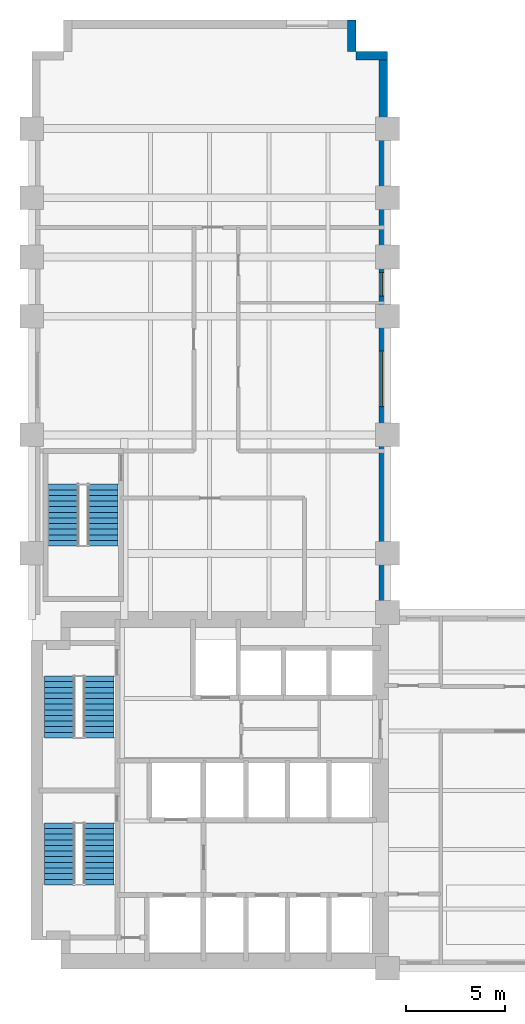
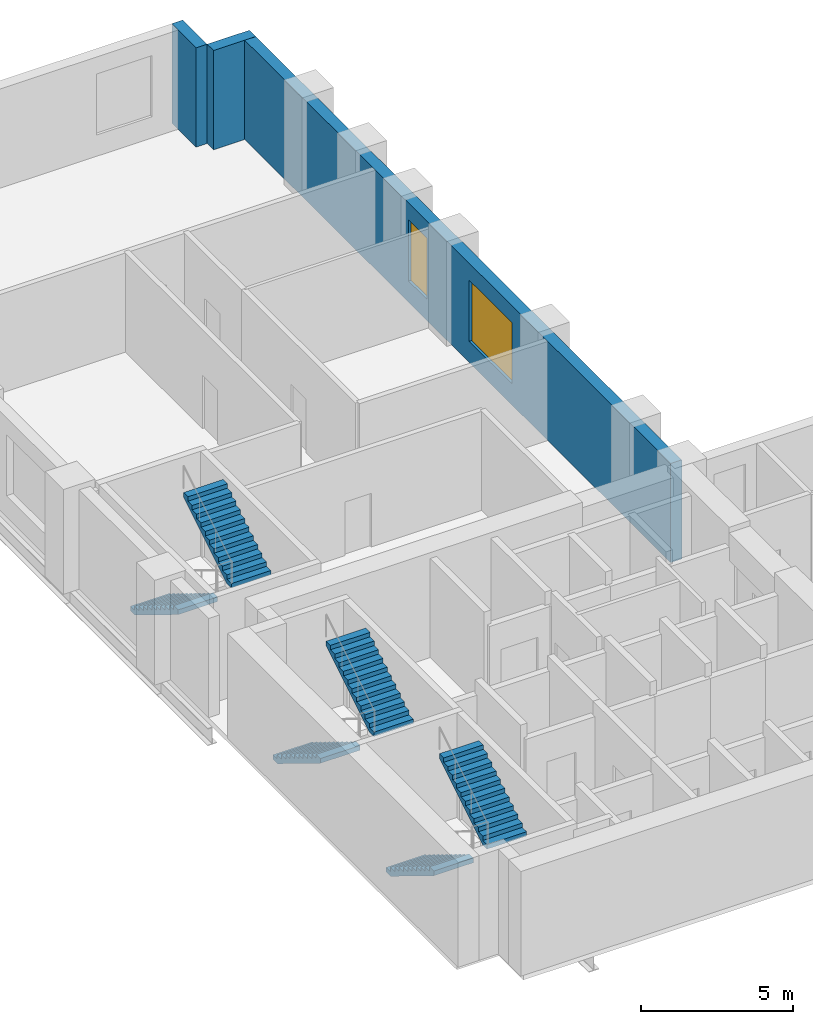
# One storey, part 6 of 7: 6 stair flights, 3 walls, 2 windows, 2 openings, 3 elements without a shape of their own.
"""IFC4 building model written with IfcOpenShell, lengths in metres."""

from ifc_helpers import new_model, si_unit, direction, frame, frame_2d, origin, place, context, subcontext, project, spatial, polyline, rectangle, outline, extrude, material, layer, layer_set, type_object, element, fill, aggregate, save


model = new_model("IFC4")

# Units and contexts
model_context = context("Model", 3, precision=1e-05, world=origin(), true_north=direction((0.0, 1.0)))
body_context = subcontext(model_context, "Body", "Model", "MODEL_VIEW")
ifc_project = project(units=[si_unit("LENGTHUNIT", "METRE"), si_unit("AREAUNIT", "SQUARE_METRE"), si_unit("VOLUMEUNIT", "CUBIC_METRE"), si_unit("PLANEANGLEUNIT", "RADIAN"), si_unit("MASSUNIT", "GRAM", prefix="KILO")], contexts=[model_context])

# Site, building, storey
site_placement = place(None, origin())
site = spatial("IfcSite", under=ifc_project, at=site_placement, CompositionType="ELEMENT")
building_placement = place(site_placement, origin())
building = spatial("IfcBuilding", under=site, at=building_placement, Name="Mawjdan Bourse Tower", CompositionType="ELEMENT")
storey_placement = place(building_placement, frame((0.0, 0.0, 72.0)))
storey = spatial("IfcBuildingStorey", under=building, at=storey_placement, Name="L16", CompositionType="ELEMENT", Elevation=72.0)

# Wall, openings, windows
ifc_material_1 = material(Name="Brick Masonry Buff", Category="masonry")
ifc_layer = layer(ifc_material_1, 0.419921875)
ifc_layer_set = layer_set([ifc_layer], Name="Brick Masonry Buff")
wall_type = type_object("IfcWallType", Name="WL-BRK-BUFF-420", PredefinedType="STANDARD", material=ifc_layer_set)
wall_placement = place(storey_placement, frame((23.7900390625, 21.0, 0.0), z_axis=(0.0, 0.0, 1.0), x_axis=(0.0, 1.0, 0.0)))
wall = element("IfcWall", 1, at=wall_placement, inside=storey, type_object=wall_type, Name="L16 Exterior Brick Wall 8", PredefinedType="STANDARD", context=body_context, shape_type="SweptSolid", body=[
    extrude(rectangle(XDim=28.39990234375, YDim=0.419921875, at=frame_2d((14.199951171875, 0.0))), origin(), (0.0, 0.0, 1.0), 3.97998046875),
])
opening_1_placement = place(wall_placement, frame((10.433349609375, 0.0, 0.85009765625)))
opening_1 = element("IfcOpeningElement", 2, at=opening_1_placement, cuts=wall, Name="Opening W-L16-04", PredefinedType="OPENING", context=body_context, shape_type="SweptSolid", body=[
    extrude(rectangle(XDim=2.800048828125, YDim=2.449951171875, at=frame_2d((1.39990234375, 1.22509765625))), frame((0.0, 0.219970703125, 0.0), z_axis=(0.0, -1.0, 0.0), x_axis=(1.0, 0.0, 0.0)), (0.0, 0.0, 1.0), 0.43994140625),
])
opening_2_placement = place(wall_placement, frame((16.01611328125, 0.0, 0.85009765625)))
opening_2 = element("IfcOpeningElement", 3, at=opening_2_placement, cuts=wall, Name="Opening W-L16-15", PredefinedType="OPENING", context=body_context, shape_type="SweptSolid", body=[
    extrude(rectangle(XDim=1.199951171875, YDim=2.449951171875, at=frame_2d((0.60009765625, 1.22509765625))), frame((0.0, 0.219970703125, 0.0), z_axis=(0.0, -1.0, 0.0), x_axis=(1.0, 0.0, 0.0)), (0.0, 0.0, 1.0), 0.43994140625),
])
ifc_material_2 = material(Name="Solar-Control Clear Double Glazing", Category="glass")
window_type_1 = type_object("IfcWindowType", Name="WN-TRD-1200", PartitioningType="SINGLE_PANEL", PredefinedType="WINDOW", material=ifc_material_2)
window_1_placement = place(opening_2_placement, origin())
window_1 = element("IfcWindow", 4, at=window_1_placement, inside=storey, type_object=window_type_1, Name="L16 Deep-Set Masonry Window W-L16-15", OverallHeight=2.449951171875, OverallWidth=1.199951171875, PartitioningType="SINGLE_PANEL", PredefinedType="WINDOW", context=body_context, shape_type="SweptSolid", body=[
    extrude(rectangle(XDim=1.199951171875, YDim=2.449951171875, at=frame_2d((0.60009765625, 1.22509765625))), frame((0.0, 0.110107421875, 0.0), z_axis=(0.0, -1.0, 0.0), x_axis=(1.0, 0.0, 0.0)), (0.0, 0.0, 1.0), 0.06005859375),
])
fill(opening_2, window_1)
window_type_2 = type_object("IfcWindowType", Name="WN-TRD-2800", PartitioningType="SINGLE_PANEL", PredefinedType="WINDOW", material=ifc_material_2)
window_2_placement = place(opening_1_placement, origin())
window_2 = element("IfcWindow", 5, at=window_2_placement, inside=storey, type_object=window_type_2, Name="L16 Deep-Set Masonry Window W-L16-04", OverallHeight=2.449951171875, OverallWidth=2.800048828125, PartitioningType="SINGLE_PANEL", PredefinedType="WINDOW", context=body_context, shape_type="SweptSolid", body=[
    extrude(rectangle(XDim=2.800048828125, YDim=2.449951171875, at=frame_2d((1.39990234375, 1.22509765625))), frame((0.0, 0.110107421875, 0.0), z_axis=(0.0, -1.0, 0.0), x_axis=(1.0, 0.0, 0.0)), (0.0, 0.0, 1.0), 0.06005859375),
])
fill(opening_1, window_2)

# Walls
for number, where, z_axis, x_axis, name in (
    (6, (24.0, 49.18994140625, 0.0), (0.0, 0.0, 1.0), (-1.0, 0.0, 0.0), "L16 Exterior Brick Wall 9"),
    (7, (22.18994140625, 49.39990234375, 0.0), (0.0, 0.0, 1.0), (0.0, 1.0, 0.0), "L16 Exterior Brick Wall 10"),
):
    element("IfcWall", number, at=place(storey_placement, frame(where, z_axis=z_axis, x_axis=x_axis)), inside=storey, type_object=wall_type, Name=name, PredefinedType="STANDARD", context=body_context, shape_type="SweptSolid", body=[
        extrude(rectangle(XDim=1.60009765625, YDim=0.419921875, at=frame_2d((0.800048828125, 0.0))), origin(), (0.0, 0.0, 1.0), 3.97998046875),
    ])

# Stair, stair flights
ifc_material_3 = material(Name="Concrete C50/60", Category="concrete")
stair_type = type_object("IfcStairType", Name="STR-CORE-1500", PredefinedType="HALF_TURN_STAIR", material=ifc_material_3)
stair_1_placement = place(storey_placement, origin())
stair_1 = element("IfcStair", 8, at=stair_1_placement, inside=storey, type_object=stair_type, Name="L16 Exit Stair 1 (Core South-West)", PredefinedType="HALF_TURN_STAIR")
stair_flight_type = type_object("IfcStairFlightType", Name="SFL-RC-1500", PredefinedType="STRAIGHT", material=ifc_material_3)
stair_flight_1_placement = place(storey_placement, frame((7.389892578125, 10.35009765625, 0.0), z_axis=(0.0, 0.0, 1.0), x_axis=(0.0, -1.0, 0.0)))
stair_flight_1 = element("IfcStairFlight", 9, at=stair_flight_1_placement, type_object=stair_flight_type, Name="ST1-L16 flight 1", NumberOfRisers=12, NumberOfTreads=11, PredefinedType="STRAIGHT", RiserHeight=0.175, TreadLength=0.285, context=body_context, shape_type="SweptSolid", body=[
    extrude(outline(polyline([(0.0, 0.0), (0.0, 0.175048828125), (0.284912109375, 0.175048828125), (0.284912109375, 0.35009765625), (0.570068359375, 0.35009765625), (0.570068359375, 0.52490234375), (0.85498046875, 0.52490234375), (0.85498046875, 0.699951171875), (1.139892578125, 0.699951171875), (1.139892578125, 0.875), (1.425048828125, 0.875), (1.425048828125, 1.050048828125), (1.7099609375, 1.050048828125), (1.7099609375, 1.22509765625), (1.9951171875, 1.22509765625), (1.9951171875, 1.39990234375), (2.280029296875, 1.39990234375), (2.280029296875, 1.574951171875), (2.56494140625, 1.574951171875), (2.56494140625, 1.75), (2.85009765625, 1.75), (2.85009765625, 1.925048828125), (3.135009765625, 1.925048828125), (3.135009765625, 2.10009765625), (3.135009765625, 1.7373046875), (0.3056640625, 0.0), (0.0, 0.0)])), frame((0.0, 0.75, 0.0), z_axis=(0.0, -1.0, 0.0), x_axis=(1.0, 0.0, 0.0)), (0.0, 0.0, 1.0), 1.5),
])
stair_flight_2_placement = place(storey_placement, frame((9.409912109375, 7.215087890625, 2.10009765625), z_axis=(0.0, 0.0, 1.0), x_axis=(0.0, 1.0, 0.0)))
stair_flight_2 = element("IfcStairFlight", 10, at=stair_flight_2_placement, type_object=stair_flight_type, Name="ST1-L16 flight 2", NumberOfRisers=12, NumberOfTreads=11, PredefinedType="STRAIGHT", RiserHeight=0.175, TreadLength=0.285, context=body_context, shape_type="SweptSolid", body=[
    extrude(outline(polyline([(0.0, 0.0), (0.0, 0.175048828125), (0.284912109375, 0.175048828125), (0.284912109375, 0.35009765625), (0.570068359375, 0.35009765625), (0.570068359375, 0.52490234375), (0.85498046875, 0.52490234375), (0.85498046875, 0.699951171875), (1.139892578125, 0.699951171875), (1.139892578125, 0.875), (1.425048828125, 0.875), (1.425048828125, 1.050048828125), (1.7099609375, 1.050048828125), (1.7099609375, 1.22509765625), (1.9951171875, 1.22509765625), (1.9951171875, 1.39990234375), (2.280029296875, 1.39990234375), (2.280029296875, 1.574951171875), (2.56494140625, 1.574951171875), (2.56494140625, 1.75), (2.85009765625, 1.75), (2.85009765625, 1.925048828125), (3.135009765625, 1.925048828125), (3.135009765625, 2.10009765625), (3.135009765625, 1.7373046875), (0.3056640625, 0.0), (0.0, 0.0)])), frame((0.0, 0.75, 0.0), z_axis=(0.0, -1.0, 0.0), x_axis=(1.0, 0.0, 0.0)), (0.0, 0.0, 1.0), 1.5),
])
aggregate(stair_1, [stair_flight_1, stair_flight_2])

stair_2_placement = place(storey_placement, origin())
stair_2 = element("IfcStair", 11, at=stair_2_placement, inside=storey, type_object=stair_type, Name="L16 Exit Stair 2 (Core North-West)", PredefinedType="HALF_TURN_STAIR")
stair_flight_3_placement = place(storey_placement, frame((7.389892578125, 17.7900390625, 0.0), z_axis=(0.0, 0.0, 1.0), x_axis=(0.0, -1.0, 0.0)))
stair_flight_3 = element("IfcStairFlight", 12, at=stair_flight_3_placement, type_object=stair_flight_type, Name="ST2-L16 flight 1", NumberOfRisers=12, NumberOfTreads=11, PredefinedType="STRAIGHT", RiserHeight=0.175, TreadLength=0.285, context=body_context, shape_type="SweptSolid", body=[
    extrude(outline(polyline([(0.0, 0.0), (0.0, 0.175048828125), (0.284912109375, 0.175048828125), (0.284912109375, 0.35009765625), (0.570068359375, 0.35009765625), (0.570068359375, 0.52490234375), (0.85498046875, 0.52490234375), (0.85498046875, 0.699951171875), (1.139892578125, 0.699951171875), (1.139892578125, 0.875), (1.425048828125, 0.875), (1.425048828125, 1.050048828125), (1.7099609375, 1.050048828125), (1.7099609375, 1.22509765625), (1.9951171875, 1.22509765625), (1.9951171875, 1.39990234375), (2.280029296875, 1.39990234375), (2.280029296875, 1.574951171875), (2.56494140625, 1.574951171875), (2.56494140625, 1.75), (2.85009765625, 1.75), (2.85009765625, 1.925048828125), (3.135009765625, 1.925048828125), (3.135009765625, 2.10009765625), (3.135009765625, 1.7373046875), (0.3056640625, 0.0), (0.0, 0.0)])), frame((0.0, 0.75, 0.0), z_axis=(0.0, -1.0, 0.0), x_axis=(1.0, 0.0, 0.0)), (0.0, 0.0, 1.0), 1.5),
])
stair_flight_4_placement = place(storey_placement, frame((9.409912109375, 14.655029296875, 2.10009765625), z_axis=(0.0, 0.0, 1.0), x_axis=(0.0, 1.0, 0.0)))
stair_flight_4 = element("IfcStairFlight", 13, at=stair_flight_4_placement, type_object=stair_flight_type, Name="ST2-L16 flight 2", NumberOfRisers=12, NumberOfTreads=11, PredefinedType="STRAIGHT", RiserHeight=0.175, TreadLength=0.285, context=body_context, shape_type="SweptSolid", body=[
    extrude(outline(polyline([(0.0, 0.0), (0.0, 0.175048828125), (0.284912109375, 0.175048828125), (0.284912109375, 0.35009765625), (0.570068359375, 0.35009765625), (0.570068359375, 0.52490234375), (0.85498046875, 0.52490234375), (0.85498046875, 0.699951171875), (1.139892578125, 0.699951171875), (1.139892578125, 0.875), (1.425048828125, 0.875), (1.425048828125, 1.050048828125), (1.7099609375, 1.050048828125), (1.7099609375, 1.22509765625), (1.9951171875, 1.22509765625), (1.9951171875, 1.39990234375), (2.280029296875, 1.39990234375), (2.280029296875, 1.574951171875), (2.56494140625, 1.574951171875), (2.56494140625, 1.75), (2.85009765625, 1.75), (2.85009765625, 1.925048828125), (3.135009765625, 1.925048828125), (3.135009765625, 2.10009765625), (3.135009765625, 1.7373046875), (0.3056640625, 0.0), (0.0, 0.0)])), frame((0.0, 0.75, 0.0), z_axis=(0.0, -1.0, 0.0), x_axis=(1.0, 0.0, 0.0)), (0.0, 0.0, 1.0), 1.5),
])
aggregate(stair_2, [stair_flight_3, stair_flight_4])

stair_3_placement = place(storey_placement, origin())
stair_3 = element("IfcStair", 14, at=stair_3_placement, inside=storey, type_object=stair_type, Name="L16 Exit Stair 3 (North Wing)", PredefinedType="HALF_TURN_STAIR")
stair_flight_5_placement = place(storey_placement, frame((7.590087890625, 27.5, 0.0), z_axis=(0.0, 0.0, 1.0), x_axis=(0.0, -1.0, 0.0)))
stair_flight_5 = element("IfcStairFlight", 15, at=stair_flight_5_placement, type_object=stair_flight_type, Name="ST3-L16 flight 1", NumberOfRisers=12, NumberOfTreads=11, PredefinedType="STRAIGHT", RiserHeight=0.175, TreadLength=0.285, context=body_context, shape_type="SweptSolid", body=[
    extrude(outline(polyline([(0.0, 0.0), (0.0, 0.175048828125), (0.284912109375, 0.175048828125), (0.284912109375, 0.35009765625), (0.570068359375, 0.35009765625), (0.570068359375, 0.52490234375), (0.85498046875, 0.52490234375), (0.85498046875, 0.699951171875), (1.139892578125, 0.699951171875), (1.139892578125, 0.875), (1.425048828125, 0.875), (1.425048828125, 1.050048828125), (1.7099609375, 1.050048828125), (1.7099609375, 1.22509765625), (1.9951171875, 1.22509765625), (1.9951171875, 1.39990234375), (2.280029296875, 1.39990234375), (2.280029296875, 1.574951171875), (2.56494140625, 1.574951171875), (2.56494140625, 1.75), (2.85009765625, 1.75), (2.85009765625, 1.925048828125), (3.135009765625, 1.925048828125), (3.135009765625, 2.10009765625), (3.135009765625, 1.7373046875), (0.3056640625, 0.0), (0.0, 0.0)])), frame((0.0, 0.75, 0.0), z_axis=(0.0, -1.0, 0.0), x_axis=(1.0, 0.0, 0.0)), (0.0, 0.0, 1.0), 1.5),
])
stair_flight_6_placement = place(storey_placement, frame((9.610107421875, 24.364990234375, 2.10009765625), z_axis=(0.0, 0.0, 1.0), x_axis=(0.0, 1.0, 0.0)))
stair_flight_6 = element("IfcStairFlight", 16, at=stair_flight_6_placement, type_object=stair_flight_type, Name="ST3-L16 flight 2", NumberOfRisers=12, NumberOfTreads=11, PredefinedType="STRAIGHT", RiserHeight=0.175, TreadLength=0.285, context=body_context, shape_type="SweptSolid", body=[
    extrude(outline(polyline([(0.0, 0.0), (0.0, 0.175048828125), (0.284912109375, 0.175048828125), (0.284912109375, 0.35009765625), (0.570068359375, 0.35009765625), (0.570068359375, 0.52490234375), (0.85498046875, 0.52490234375), (0.85498046875, 0.699951171875), (1.139892578125, 0.699951171875), (1.139892578125, 0.875), (1.425048828125, 0.875), (1.425048828125, 1.050048828125), (1.7099609375, 1.050048828125), (1.7099609375, 1.22509765625), (1.9951171875, 1.22509765625), (1.9951171875, 1.39990234375), (2.280029296875, 1.39990234375), (2.280029296875, 1.574951171875), (2.56494140625, 1.574951171875), (2.56494140625, 1.75), (2.85009765625, 1.75), (2.85009765625, 1.925048828125), (3.135009765625, 1.925048828125), (3.135009765625, 2.10009765625), (3.135009765625, 1.7373046875), (0.3056640625, 0.0), (0.0, 0.0)])), frame((0.0, 0.75, 0.0), z_axis=(0.0, -1.0, 0.0), x_axis=(1.0, 0.0, 0.0)), (0.0, 0.0, 1.0), 1.5),
])
aggregate(stair_3, [stair_flight_5, stair_flight_6])

save(model, "model.ifc")
